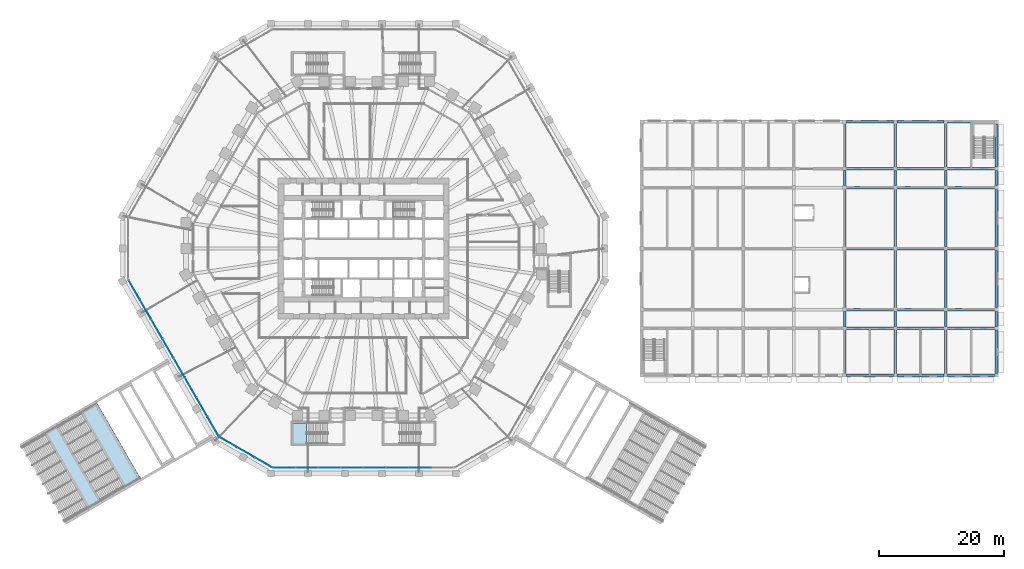
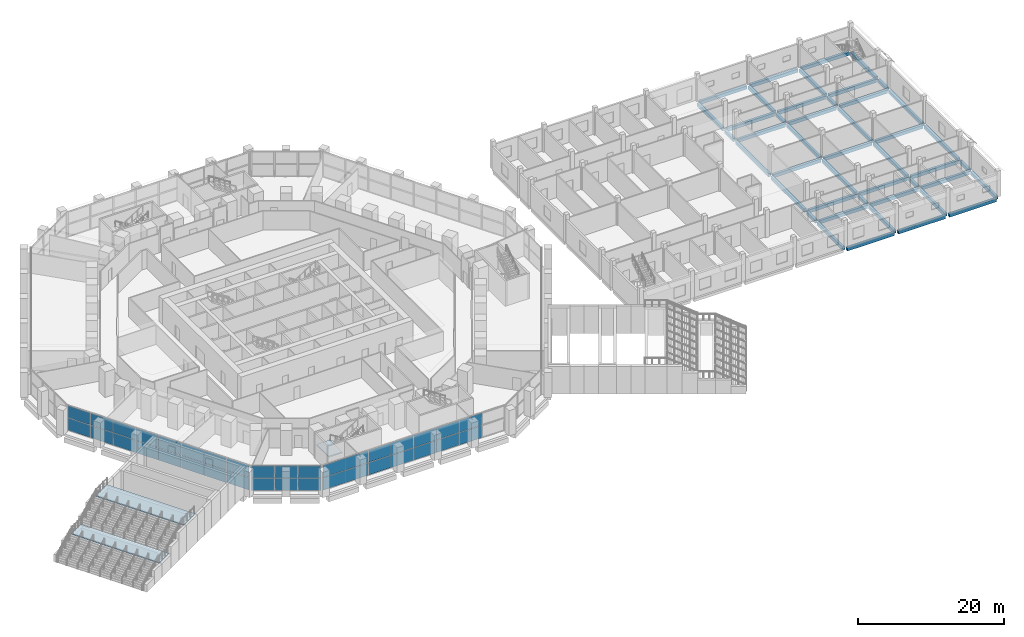
# One storey, part 15 of 38: 45 beams, 36 plates, 3 slabs, 5 elements without a shape of their own.
"""IFC4 building model written with IfcOpenShell, lengths in metres."""

from ifc_helpers import new_model, si_unit, direction, frame, origin, origin_2d, place, context, subcontext, project, spatial, polyline, rectangle, outline, extrude, material, layer, layer_set, material_profile, profile_set, type_object, element, aggregate, save


model = new_model("IFC4")

# Units and contexts
model_context = context("Model", 3, precision=1e-05, world=origin(), true_north=direction((0.0, 1.0)))
body_context = subcontext(model_context, "Body", "Model", "MODEL_VIEW")
ifc_project = project(units=[si_unit("LENGTHUNIT", "METRE"), si_unit("AREAUNIT", "SQUARE_METRE"), si_unit("VOLUMEUNIT", "CUBIC_METRE"), si_unit("PLANEANGLEUNIT", "RADIAN"), si_unit("MASSUNIT", "GRAM", prefix="KILO")], contexts=[model_context])

# Site, building, storey
site_placement = place(None, origin())
site = spatial("IfcSite", under=ifc_project, at=site_placement, CompositionType="ELEMENT")
building_placement = place(site_placement, origin())
building = spatial("IfcBuilding", under=site, at=building_placement, Name="Frailejon Research Tower", CompositionType="ELEMENT")
storey_placement = place(building_placement, frame((0.0, 0.0, 5.60009765625)))
storey = spatial("IfcBuildingStorey", under=building, at=storey_placement, Name="L01", CompositionType="ELEMENT", Elevation=5.60009765625)

# Beams
ifc_material_1 = material(Name="Concrete C35/45", Category="concrete")
ifc_material_profile = material_profile(ifc_material_1, rectangle(XDim=0.39990234375, YDim=0.550048828125, at=origin_2d()), Name="HC floor beam 400x550")
ifc_profile_set = profile_set([ifc_material_profile], Name="Concrete C35/45")
beam_type = type_object("IfcBeamType", Name="HC floor beam 400x550", PredefinedType="BEAM", material=ifc_profile_set)
for number, where, z_axis, x_axis, name in (
    (1, (77.199951171875, -20.25, -0.525146484375), (1.0, 0.0, 0.0), (0.0, 1.0, 0.0), "HC floor beam"),
    (2, (85.300048828125, -20.25, -0.525146484375), (1.0, 0.0, 0.0), (0.0, 1.0, 0.0), "HC floor beam"),
    (3, (93.39990234375, -20.25, -0.525146484375), (1.0, 0.0, 0.0), (0.0, 1.0, 0.0), "HC floor beam"),
    (4, (77.199951171875, -12.75, -0.525146484375), (1.0, 0.0, 0.0), (0.0, 1.0, 0.0), "HC floor beam"),
    (5, (85.300048828125, -12.75, -0.525146484375), (1.0, 0.0, 0.0), (0.0, 1.0, 0.0), "HC floor beam"),
    (6, (93.39990234375, -12.75, -0.525146484375), (1.0, 0.0, 0.0), (0.0, 1.0, 0.0), "HC floor beam"),
    (7, (77.199951171875, -9.75, -0.525146484375), (1.0, 0.0, 0.0), (0.0, 1.0, 0.0), "HC floor beam"),
    (8, (85.300048828125, -9.75, -0.525146484375), (1.0, 0.0, 0.0), (0.0, 1.0, 0.0), "HC floor beam"),
    (9, (93.39990234375, -9.75, -0.525146484375), (1.0, 0.0, 0.0), (0.0, 1.0, 0.0), "HC floor beam"),
    (10, (77.199951171875, 0.0, -0.525146484375), (1.0, 0.0, 0.0), (0.0, 1.0, 0.0), "HC floor beam"),
    (11, (85.300048828125, 0.0, -0.525146484375), (1.0, 0.0, 0.0), (0.0, 1.0, 0.0), "HC floor beam"),
    (12, (93.39990234375, 0.0, -0.525146484375), (1.0, 0.0, 0.0), (0.0, 1.0, 0.0), "HC floor beam"),
    (13, (77.199951171875, 9.75, -0.525146484375), (1.0, 0.0, 0.0), (0.0, 1.0, 0.0), "HC floor beam"),
    (14, (85.300048828125, 9.75, -0.525146484375), (1.0, 0.0, 0.0), (0.0, 1.0, 0.0), "HC floor beam"),
    (15, (93.39990234375, 9.75, -0.525146484375), (1.0, 0.0, 0.0), (0.0, 1.0, 0.0), "HC floor beam"),
    (16, (77.199951171875, 12.75, -0.525146484375), (1.0, 0.0, 0.0), (0.0, 1.0, 0.0), "HC floor beam"),
    (17, (85.300048828125, 12.75, -0.525146484375), (1.0, 0.0, 0.0), (0.0, 1.0, 0.0), "HC floor beam"),
    (18, (93.39990234375, 12.75, -0.525146484375), (1.0, 0.0, 0.0), (0.0, 1.0, 0.0), "HC floor beam"),
    (19, (77.199951171875, 20.25, -0.525146484375), (1.0, 0.0, 0.0), (0.0, 1.0, 0.0), "HC floor beam"),
    (20, (85.300048828125, 20.25, -0.525146484375), (1.0, 0.0, 0.0), (0.0, 1.0, 0.0), "HC floor beam"),
    (21, (93.39990234375, 20.25, -0.525146484375), (1.0, 0.0, 0.0), (0.0, 1.0, 0.0), "HC floor beam"),
):
    element("IfcBeam", number, at=place(storey_placement, frame(where, z_axis=z_axis, x_axis=x_axis)), inside=storey, type_object=beam_type, Name=name, PredefinedType="BEAM", context=body_context, shape_type="SweptSolid", body=[
        extrude(rectangle(XDim=0.39990234375, YDim=0.550048828125, at=origin_2d()), origin(), (0.0, 0.0, 1.0), 7.5),
    ])
beam_1_placement = place(storey_placement, frame((76.89990234375, -19.949951171875, -0.525146484375), z_axis=(0.0, 1.0, 0.0), x_axis=(-1.0, 0.0, 0.0)))
element("IfcBeam", 22, at=beam_1_placement, inside=storey, type_object=beam_type, Name="HC floor beam", PredefinedType="BEAM", context=body_context, shape_type="SweptSolid", body=[
    extrude(rectangle(XDim=0.39990234375, YDim=0.550048828125, at=origin_2d()), origin(), (0.0, 0.0, 1.0), 6.89990234375),
])
beam_2_placement = place(storey_placement, frame((76.89990234375, -12.449951171875, -0.525146484375), z_axis=(0.0, 1.0, 0.0), x_axis=(-1.0, 0.0, 0.0)))
element("IfcBeam", 23, at=beam_2_placement, inside=storey, type_object=beam_type, Name="HC floor beam", PredefinedType="BEAM", context=body_context, shape_type="SweptSolid", body=[
    extrude(rectangle(XDim=0.39990234375, YDim=0.550048828125, at=origin_2d()), origin(), (0.0, 0.0, 1.0), 2.39990234375),
])
for number, where, z_axis, x_axis, name in (
    (24, (76.89990234375, -9.449951171875, -0.525146484375), (0.0, 1.0, 0.0), (-1.0, 0.0, 0.0), "HC floor beam"),
    (25, (76.89990234375, 0.300048828125, -0.525146484375), (0.0, 1.0, 0.0), (-1.0, 0.0, 0.0), "HC floor beam"),
):
    element("IfcBeam", number, at=place(storey_placement, frame(where, z_axis=z_axis, x_axis=x_axis)), inside=storey, type_object=beam_type, Name=name, PredefinedType="BEAM", context=body_context, shape_type="SweptSolid", body=[
        extrude(rectangle(XDim=0.39990234375, YDim=0.550048828125, at=origin_2d()), origin(), (0.0, 0.0, 1.0), 9.14990234375),
    ])
beam_3_placement = place(storey_placement, frame((76.89990234375, 10.050048828125, -0.525146484375), z_axis=(0.0, 1.0, 0.0), x_axis=(-1.0, 0.0, 0.0)))
element("IfcBeam", 26, at=beam_3_placement, inside=storey, type_object=beam_type, Name="HC floor beam", PredefinedType="BEAM", context=body_context, shape_type="SweptSolid", body=[
    extrude(rectangle(XDim=0.39990234375, YDim=0.550048828125, at=origin_2d()), origin(), (0.0, 0.0, 1.0), 2.39990234375),
])
for number, where, z_axis, x_axis, name in (
    (27, (76.89990234375, 13.050048828125, -0.525146484375), (0.0, 1.0, 0.0), (-1.0, 0.0, 0.0), "HC floor beam"),
    (28, (85.0, -19.949951171875, -0.525146484375), (0.0, 1.0, 0.0), (-1.0, 0.0, 0.0), "HC floor beam"),
):
    element("IfcBeam", number, at=place(storey_placement, frame(where, z_axis=z_axis, x_axis=x_axis)), inside=storey, type_object=beam_type, Name=name, PredefinedType="BEAM", context=body_context, shape_type="SweptSolid", body=[
        extrude(rectangle(XDim=0.39990234375, YDim=0.550048828125, at=origin_2d()), origin(), (0.0, 0.0, 1.0), 6.89990234375),
    ])
beam_4_placement = place(storey_placement, frame((85.0, -12.449951171875, -0.525146484375), z_axis=(0.0, 1.0, 0.0), x_axis=(-1.0, 0.0, 0.0)))
element("IfcBeam", 29, at=beam_4_placement, inside=storey, type_object=beam_type, Name="HC floor beam", PredefinedType="BEAM", context=body_context, shape_type="SweptSolid", body=[
    extrude(rectangle(XDim=0.39990234375, YDim=0.550048828125, at=origin_2d()), origin(), (0.0, 0.0, 1.0), 2.39990234375),
])
for number, where, z_axis, x_axis, name in (
    (30, (85.0, -9.449951171875, -0.525146484375), (0.0, 1.0, 0.0), (-1.0, 0.0, 0.0), "HC floor beam"),
    (31, (85.0, 0.300048828125, -0.525146484375), (0.0, 1.0, 0.0), (-1.0, 0.0, 0.0), "HC floor beam"),
):
    element("IfcBeam", number, at=place(storey_placement, frame(where, z_axis=z_axis, x_axis=x_axis)), inside=storey, type_object=beam_type, Name=name, PredefinedType="BEAM", context=body_context, shape_type="SweptSolid", body=[
        extrude(rectangle(XDim=0.39990234375, YDim=0.550048828125, at=origin_2d()), origin(), (0.0, 0.0, 1.0), 9.14990234375),
    ])
beam_5_placement = place(storey_placement, frame((85.0, 10.050048828125, -0.525146484375), z_axis=(0.0, 1.0, 0.0), x_axis=(-1.0, 0.0, 0.0)))
element("IfcBeam", 32, at=beam_5_placement, inside=storey, type_object=beam_type, Name="HC floor beam", PredefinedType="BEAM", context=body_context, shape_type="SweptSolid", body=[
    extrude(rectangle(XDim=0.39990234375, YDim=0.550048828125, at=origin_2d()), origin(), (0.0, 0.0, 1.0), 2.39990234375),
])
for number, where, z_axis, x_axis, name in (
    (33, (85.0, 13.050048828125, -0.525146484375), (0.0, 1.0, 0.0), (-1.0, 0.0, 0.0), "HC floor beam"),
    (34, (93.10009765625, -19.949951171875, -0.525146484375), (0.0, 1.0, 0.0), (-1.0, 0.0, 0.0), "HC floor beam"),
):
    element("IfcBeam", number, at=place(storey_placement, frame(where, z_axis=z_axis, x_axis=x_axis)), inside=storey, type_object=beam_type, Name=name, PredefinedType="BEAM", context=body_context, shape_type="SweptSolid", body=[
        extrude(rectangle(XDim=0.39990234375, YDim=0.550048828125, at=origin_2d()), origin(), (0.0, 0.0, 1.0), 6.89990234375),
    ])
beam_6_placement = place(storey_placement, frame((93.10009765625, -12.449951171875, -0.525146484375), z_axis=(0.0, 1.0, 0.0), x_axis=(-1.0, 0.0, 0.0)))
element("IfcBeam", 35, at=beam_6_placement, inside=storey, type_object=beam_type, Name="HC floor beam", PredefinedType="BEAM", context=body_context, shape_type="SweptSolid", body=[
    extrude(rectangle(XDim=0.39990234375, YDim=0.550048828125, at=origin_2d()), origin(), (0.0, 0.0, 1.0), 2.39990234375),
])
for number, where, z_axis, x_axis, name in (
    (36, (93.10009765625, -9.449951171875, -0.525146484375), (0.0, 1.0, 0.0), (-1.0, 0.0, 0.0), "HC floor beam"),
    (37, (93.10009765625, 0.300048828125, -0.525146484375), (0.0, 1.0, 0.0), (-1.0, 0.0, 0.0), "HC floor beam"),
):
    element("IfcBeam", number, at=place(storey_placement, frame(where, z_axis=z_axis, x_axis=x_axis)), inside=storey, type_object=beam_type, Name=name, PredefinedType="BEAM", context=body_context, shape_type="SweptSolid", body=[
        extrude(rectangle(XDim=0.39990234375, YDim=0.550048828125, at=origin_2d()), origin(), (0.0, 0.0, 1.0), 9.14990234375),
    ])
beam_7_placement = place(storey_placement, frame((93.10009765625, 10.050048828125, -0.525146484375), z_axis=(0.0, 1.0, 0.0), x_axis=(-1.0, 0.0, 0.0)))
element("IfcBeam", 38, at=beam_7_placement, inside=storey, type_object=beam_type, Name="HC floor beam", PredefinedType="BEAM", context=body_context, shape_type="SweptSolid", body=[
    extrude(rectangle(XDim=0.39990234375, YDim=0.550048828125, at=origin_2d()), origin(), (0.0, 0.0, 1.0), 2.39990234375),
])
for number, where, z_axis, x_axis, name in (
    (39, (93.10009765625, 13.050048828125, -0.525146484375), (0.0, 1.0, 0.0), (-1.0, 0.0, 0.0), "HC floor beam"),
    (40, (101.199951171875, -19.949951171875, -0.525146484375), (0.0, 1.0, 0.0), (-1.0, 0.0, 0.0), "HC floor beam"),
):
    element("IfcBeam", number, at=place(storey_placement, frame(where, z_axis=z_axis, x_axis=x_axis)), inside=storey, type_object=beam_type, Name=name, PredefinedType="BEAM", context=body_context, shape_type="SweptSolid", body=[
        extrude(rectangle(XDim=0.39990234375, YDim=0.550048828125, at=origin_2d()), origin(), (0.0, 0.0, 1.0), 6.89990234375),
    ])
beam_8_placement = place(storey_placement, frame((101.199951171875, -12.449951171875, -0.525146484375), z_axis=(0.0, 1.0, 0.0), x_axis=(-1.0, 0.0, 0.0)))
element("IfcBeam", 41, at=beam_8_placement, inside=storey, type_object=beam_type, Name="HC floor beam", PredefinedType="BEAM", context=body_context, shape_type="SweptSolid", body=[
    extrude(rectangle(XDim=0.39990234375, YDim=0.550048828125, at=origin_2d()), origin(), (0.0, 0.0, 1.0), 2.39990234375),
])
for number, where, z_axis, x_axis, name in (
    (42, (101.199951171875, -9.449951171875, -0.525146484375), (0.0, 1.0, 0.0), (-1.0, 0.0, 0.0), "HC floor beam"),
    (43, (101.199951171875, 0.300048828125, -0.525146484375), (0.0, 1.0, 0.0), (-1.0, 0.0, 0.0), "HC floor beam"),
):
    element("IfcBeam", number, at=place(storey_placement, frame(where, z_axis=z_axis, x_axis=x_axis)), inside=storey, type_object=beam_type, Name=name, PredefinedType="BEAM", context=body_context, shape_type="SweptSolid", body=[
        extrude(rectangle(XDim=0.39990234375, YDim=0.550048828125, at=origin_2d()), origin(), (0.0, 0.0, 1.0), 9.14990234375),
    ])
beam_9_placement = place(storey_placement, frame((101.199951171875, 10.050048828125, -0.525146484375), z_axis=(0.0, 1.0, 0.0), x_axis=(-1.0, 0.0, 0.0)))
element("IfcBeam", 44, at=beam_9_placement, inside=storey, type_object=beam_type, Name="HC floor beam", PredefinedType="BEAM", context=body_context, shape_type="SweptSolid", body=[
    extrude(rectangle(XDim=0.39990234375, YDim=0.550048828125, at=origin_2d()), origin(), (0.0, 0.0, 1.0), 2.39990234375),
])
beam_10_placement = place(storey_placement, frame((101.199951171875, 13.050048828125, -0.525146484375), z_axis=(0.0, 1.0, 0.0), x_axis=(-1.0, 0.0, 0.0)))
element("IfcBeam", 45, at=beam_10_placement, inside=storey, type_object=beam_type, Name="HC floor beam", PredefinedType="BEAM", context=body_context, shape_type="SweptSolid", body=[
    extrude(rectangle(XDim=0.39990234375, YDim=0.550048828125, at=origin_2d()), origin(), (0.0, 0.0, 1.0), 6.89990234375),
])

# Stair, slabs
ifc_material_2 = material(Name="Concrete C35/45", Category="concrete")
stair_type_1 = type_object("IfcStairType", Name="Broad stair", PredefinedType="STRAIGHT_RUN_STAIR", material=ifc_material_2)
stair_1_placement = place(storey_placement, origin())
stair_1 = element("IfcStair", 46, at=stair_1_placement, inside=storey, type_object=stair_type_1, Name="Broad stair W2", PredefinedType="STRAIGHT_RUN_STAIR")
ifc_material_3 = material(Name="Concrete C35/45", Category="concrete")
ifc_layer_1 = layer(ifc_material_3, 0.199951171875)
ifc_layer_set_1 = layer_set([ifc_layer_1], Name="Broad stair landing")
slab_type_1 = type_object("IfcSlabType", Name="Broad stair landing", PredefinedType="LANDING", material=ifc_layer_set_1)
slab_1_placement = place(storey_placement, frame((0.0, 0.0, 4.39990234375)))
slab_1 = element("IfcSlab", 47, at=slab_1_placement, type_object=slab_type_1, Name="SS-W2 landing 1", PredefinedType="LANDING", context=body_context, shape_type="SweptSolid", body=[
    extrude(outline(polyline([(-42.65185546875, -24.625), (-45.33642578125, -26.175048828125), (-38.33642578125, -38.29931640625), (-35.65185546875, -36.74951171875), (-42.65185546875, -24.625)])), origin(), (0.0, 0.0, 1.0), 0.199951171875),
])
slab_2_placement = place(storey_placement, frame((0.0, 0.0, 2.099853515625)))
slab_2 = element("IfcSlab", 48, at=slab_2_placement, type_object=slab_type_1, Name="SS-W2 landing 2", PredefinedType="LANDING", context=body_context, shape_type="SweptSolid", body=[
    extrude(outline(polyline([(-48.88720703125, -28.22509765625), (-51.138916015625, -29.52490234375), (-44.138916015625, -41.6494140625), (-41.88720703125, -40.349365234375), (-48.88720703125, -28.22509765625)])), origin(), (0.0, 0.0, 1.0), 0.199951171875),
])
aggregate(stair_1, [slab_1, slab_2])

# Curtain wall, plates
ifc_material_4 = material(Name="Aluminium curtain wall", Category="aluminium")
curtain_wall_type = type_object("IfcCurtainWallType", Name="Podium stick curtain wall system", PredefinedType="NOTDEFINED", material=ifc_material_4)
curtain_wall_1_placement = place(storey_placement, origin())
curtain_wall_1 = element("IfcCurtainWall", 49, at=curtain_wall_1_placement, inside=storey, type_object=curtain_wall_type, Name="Curtain wall L01", PredefinedType="NOTDEFINED")
ifc_material_5 = material(Name="Clear laminated glass", Category="glass")
ifc_layer_2 = layer(ifc_material_5, 0.031982421875)
ifc_layer_set_2 = layer_set([ifc_layer_2], Name="Podium stick curtain wall glass panel 32")
plate_type = type_object("IfcPlateType", Name="Podium stick curtain wall glass panel 32", PredefinedType="CURTAIN_PANEL", material=ifc_layer_set_2)
plate_1_placement = place(storey_placement, frame((-36.659912109375, -6.603271484375, 0.059814453125), z_axis=(0.0, 0.0, 1.0), x_axis=(0.499998396888, -0.86602632934, 0.0)))
plate_1 = element("IfcPlate", 50, at=plate_1_placement, type_object=plate_type, Name="CW2-028 panel 1.1", PredefinedType="CURTAIN_PANEL", context=body_context, shape_type="SweptSolid", body=[
    extrude(rectangle(XDim=3.517578125, YDim=0.031982421875, at=origin_2d()), origin(), (0.0, 0.0, 1.0), 2.06005859375),
])
plate_2_placement = place(storey_placement, frame((-36.659912109375, -6.603271484375, 2.1796875), z_axis=(0.0, 0.0, 1.0), x_axis=(0.499998396888, -0.86602632934, 0.0)))
plate_2 = element("IfcPlate", 51, at=plate_2_placement, type_object=plate_type, Name="CW2-028 panel 1.2", PredefinedType="CURTAIN_PANEL", context=body_context, shape_type="SweptSolid", body=[
    extrude(rectangle(XDim=3.517578125, YDim=0.031982421875, at=origin_2d()), origin(), (0.0, 0.0, 1.0), 2.010009765625),
])
plate_3_placement = place(storey_placement, frame((-34.863525390625, -9.714599609375, 0.059814453125), z_axis=(0.0, 0.0, 1.0), x_axis=(0.499998396888, -0.86602632934, 0.0)))
plate_3 = element("IfcPlate", 52, at=plate_3_placement, type_object=plate_type, Name="CW2-028 panel 2.1", PredefinedType="CURTAIN_PANEL", context=body_context, shape_type="SweptSolid", body=[
    extrude(rectangle(XDim=3.547607421875, YDim=0.031982421875, at=origin_2d()), origin(), (0.0, 0.0, 1.0), 2.06005859375),
])
plate_4_placement = place(storey_placement, frame((-34.863525390625, -9.714599609375, 2.1796875), z_axis=(0.0, 0.0, 1.0), x_axis=(0.499998396888, -0.86602632934, 0.0)))
plate_4 = element("IfcPlate", 53, at=plate_4_placement, type_object=plate_type, Name="CW2-028 panel 2.2", PredefinedType="CURTAIN_PANEL", context=body_context, shape_type="SweptSolid", body=[
    extrude(rectangle(XDim=3.547607421875, YDim=0.031982421875, at=origin_2d()), origin(), (0.0, 0.0, 1.0), 2.010009765625),
])
plate_5_placement = place(storey_placement, frame((-33.059814453125, -12.838623046875, 0.059814453125), z_axis=(0.0, 0.0, 1.0), x_axis=(0.499998396888, -0.86602632934, 0.0)))
plate_5 = element("IfcPlate", 54, at=plate_5_placement, type_object=plate_type, Name="CW2-028 panel 3.1", PredefinedType="CURTAIN_PANEL", context=body_context, shape_type="SweptSolid", body=[
    extrude(rectangle(XDim=3.547607421875, YDim=0.031982421875, at=origin_2d()), origin(), (0.0, 0.0, 1.0), 2.06005859375),
])
plate_6_placement = place(storey_placement, frame((-33.059814453125, -12.838623046875, 2.1796875), z_axis=(0.0, 0.0, 1.0), x_axis=(0.499998396888, -0.86602632934, 0.0)))
plate_6 = element("IfcPlate", 55, at=plate_6_placement, type_object=plate_type, Name="CW2-028 panel 3.2", PredefinedType="CURTAIN_PANEL", context=body_context, shape_type="SweptSolid", body=[
    extrude(rectangle(XDim=3.547607421875, YDim=0.031982421875, at=origin_2d()), origin(), (0.0, 0.0, 1.0), 2.010009765625),
])
plate_7_placement = place(storey_placement, frame((-31.256103515625, -15.962890625, 0.059814453125), z_axis=(0.0, 0.0, 1.0), x_axis=(0.499998396888, -0.86602632934, 0.0)))
plate_7 = element("IfcPlate", 56, at=plate_7_placement, type_object=plate_type, Name="CW2-028 panel 4.1", PredefinedType="CURTAIN_PANEL", context=body_context, shape_type="SweptSolid", body=[
    extrude(rectangle(XDim=3.547607421875, YDim=0.031982421875, at=origin_2d()), origin(), (0.0, 0.0, 1.0), 2.06005859375),
])
plate_8_placement = place(storey_placement, frame((-31.256103515625, -15.962890625, 2.1796875), z_axis=(0.0, 0.0, 1.0), x_axis=(0.499998396888, -0.86602632934, 0.0)))
plate_8 = element("IfcPlate", 57, at=plate_8_placement, type_object=plate_type, Name="CW2-028 panel 4.2", PredefinedType="CURTAIN_PANEL", context=body_context, shape_type="SweptSolid", body=[
    extrude(rectangle(XDim=3.547607421875, YDim=0.031982421875, at=origin_2d()), origin(), (0.0, 0.0, 1.0), 2.010009765625),
])
plate_9_placement = place(storey_placement, frame((-29.452392578125, -19.087158203125, 0.059814453125), z_axis=(0.0, 0.0, 1.0), x_axis=(0.499998396888, -0.86602632934, 0.0)))
plate_9 = element("IfcPlate", 58, at=plate_9_placement, type_object=plate_type, Name="CW2-028 panel 5.1", PredefinedType="CURTAIN_PANEL", context=body_context, shape_type="SweptSolid", body=[
    extrude(rectangle(XDim=3.547607421875, YDim=0.031982421875, at=origin_2d()), origin(), (0.0, 0.0, 1.0), 2.06005859375),
])
plate_10_placement = place(storey_placement, frame((-29.452392578125, -19.087158203125, 2.1796875), z_axis=(0.0, 0.0, 1.0), x_axis=(0.499998396888, -0.86602632934, 0.0)))
plate_10 = element("IfcPlate", 59, at=plate_10_placement, type_object=plate_type, Name="CW2-028 panel 5.2", PredefinedType="CURTAIN_PANEL", context=body_context, shape_type="SweptSolid", body=[
    extrude(rectangle(XDim=3.547607421875, YDim=0.031982421875, at=origin_2d()), origin(), (0.0, 0.0, 1.0), 2.010009765625),
])
plate_11_placement = place(storey_placement, frame((-27.648681640625, -22.211181640625, 0.059814453125), z_axis=(0.0, 0.0, 1.0), x_axis=(0.499998396888, -0.86602632934, 0.0)))
plate_11 = element("IfcPlate", 60, at=plate_11_placement, type_object=plate_type, Name="CW2-028 panel 6.1", PredefinedType="CURTAIN_PANEL", context=body_context, shape_type="SweptSolid", body=[
    extrude(rectangle(XDim=3.547607421875, YDim=0.031982421875, at=origin_2d()), origin(), (0.0, 0.0, 1.0), 2.06005859375),
])
plate_12_placement = place(storey_placement, frame((-27.648681640625, -22.211181640625, 2.1796875), z_axis=(0.0, 0.0, 1.0), x_axis=(0.499998396888, -0.86602632934, 0.0)))
plate_12 = element("IfcPlate", 61, at=plate_12_placement, type_object=plate_type, Name="CW2-028 panel 6.2", PredefinedType="CURTAIN_PANEL", context=body_context, shape_type="SweptSolid", body=[
    extrude(rectangle(XDim=3.547607421875, YDim=0.031982421875, at=origin_2d()), origin(), (0.0, 0.0, 1.0), 2.010009765625),
])
plate_13_placement = place(storey_placement, frame((-25.8447265625, -25.33544921875, 0.059814453125), z_axis=(0.0, 0.0, 1.0), x_axis=(0.499998396888, -0.86602632934, 0.0)))
plate_13 = element("IfcPlate", 62, at=plate_13_placement, type_object=plate_type, Name="CW2-028 panel 7.1", PredefinedType="CURTAIN_PANEL", context=body_context, shape_type="SweptSolid", body=[
    extrude(rectangle(XDim=3.547607421875, YDim=0.031982421875, at=origin_2d()), origin(), (0.0, 0.0, 1.0), 2.06005859375),
])
plate_14_placement = place(storey_placement, frame((-25.8447265625, -25.33544921875, 2.1796875), z_axis=(0.0, 0.0, 1.0), x_axis=(0.499998396888, -0.86602632934, 0.0)))
plate_14 = element("IfcPlate", 63, at=plate_14_placement, type_object=plate_type, Name="CW2-028 panel 7.2", PredefinedType="CURTAIN_PANEL", context=body_context, shape_type="SweptSolid", body=[
    extrude(rectangle(XDim=3.547607421875, YDim=0.031982421875, at=origin_2d()), origin(), (0.0, 0.0, 1.0), 2.010009765625),
])
plate_15_placement = place(storey_placement, frame((-24.048583984375, -28.44677734375, 0.059814453125), z_axis=(0.0, 0.0, 1.0), x_axis=(0.499998396888, -0.86602632934, 0.0)))
plate_15 = element("IfcPlate", 64, at=plate_15_placement, type_object=plate_type, Name="CW2-028 panel 8.1", PredefinedType="CURTAIN_PANEL", context=body_context, shape_type="SweptSolid", body=[
    extrude(rectangle(XDim=3.517578125, YDim=0.031982421875, at=origin_2d()), origin(), (0.0, 0.0, 1.0), 2.06005859375),
])
plate_16_placement = place(storey_placement, frame((-24.048583984375, -28.44677734375, 2.1796875), z_axis=(0.0, 0.0, 1.0), x_axis=(0.499998396888, -0.86602632934, 0.0)))
plate_16 = element("IfcPlate", 65, at=plate_16_placement, type_object=plate_type, Name="CW2-028 panel 8.2", PredefinedType="CURTAIN_PANEL", context=body_context, shape_type="SweptSolid", body=[
    extrude(rectangle(XDim=3.517578125, YDim=0.031982421875, at=origin_2d()), origin(), (0.0, 0.0, 1.0), 2.010009765625),
])
aggregate(curtain_wall_1, [plate_1, plate_2, plate_3, plate_4, plate_5, plate_6, plate_7, plate_8, plate_9, plate_10, plate_11, plate_12, plate_13, plate_14, plate_15, plate_16])

curtain_wall_2_placement = place(storey_placement, origin())
curtain_wall_2 = element("IfcCurtainWall", 66, at=curtain_wall_2_placement, inside=storey, type_object=curtain_wall_type, Name="Curtain wall L01", PredefinedType="NOTDEFINED")
plate_17_placement = place(storey_placement, frame((-21.592041015625, -30.972900390625, 0.059814453125), z_axis=(0.0, 0.0, 1.0), x_axis=(0.866025476338, -0.499999874334, 0.0)))
plate_17 = element("IfcPlate", 67, at=plate_17_placement, type_object=plate_type, Name="CW2-029 panel 1.1", PredefinedType="CURTAIN_PANEL", context=body_context, shape_type="SweptSolid", body=[
    extrude(rectangle(XDim=3.1376953125, YDim=0.031982421875, at=origin_2d()), origin(), (0.0, 0.0, 1.0), 2.06005859375),
])
plate_18_placement = place(storey_placement, frame((-21.592041015625, -30.972900390625, 2.1796875), z_axis=(0.0, 0.0, 1.0), x_axis=(0.866025476338, -0.499999874334, 0.0)))
plate_18 = element("IfcPlate", 68, at=plate_18_placement, type_object=plate_type, Name="CW2-029 panel 1.2", PredefinedType="CURTAIN_PANEL", context=body_context, shape_type="SweptSolid", body=[
    extrude(rectangle(XDim=3.1376953125, YDim=0.031982421875, at=origin_2d()), origin(), (0.0, 0.0, 1.0), 2.010009765625),
])
plate_19_placement = place(storey_placement, frame((-18.8095703125, -32.5791015625, 0.059814453125), z_axis=(0.0, 0.0, 1.0), x_axis=(0.866025476338, -0.499999874334, 0.0)))
plate_19 = element("IfcPlate", 69, at=plate_19_placement, type_object=plate_type, Name="CW2-029 panel 2.1", PredefinedType="CURTAIN_PANEL", context=body_context, shape_type="SweptSolid", body=[
    extrude(rectangle(XDim=3.167724609375, YDim=0.031982421875, at=origin_2d()), origin(), (0.0, 0.0, 1.0), 2.06005859375),
])
plate_20_placement = place(storey_placement, frame((-18.8095703125, -32.5791015625, 2.1796875), z_axis=(0.0, 0.0, 1.0), x_axis=(0.866025476338, -0.499999874334, 0.0)))
plate_20 = element("IfcPlate", 70, at=plate_20_placement, type_object=plate_type, Name="CW2-029 panel 2.2", PredefinedType="CURTAIN_PANEL", context=body_context, shape_type="SweptSolid", body=[
    extrude(rectangle(XDim=3.167724609375, YDim=0.031982421875, at=origin_2d()), origin(), (0.0, 0.0, 1.0), 2.010009765625),
])
plate_21_placement = place(storey_placement, frame((-16.02734375, -34.185546875, 0.059814453125), z_axis=(0.0, 0.0, 1.0), x_axis=(0.866025476338, -0.499999874334, 0.0)))
plate_21 = element("IfcPlate", 71, at=plate_21_placement, type_object=plate_type, Name="CW2-029 panel 3.1", PredefinedType="CURTAIN_PANEL", context=body_context, shape_type="SweptSolid", body=[
    extrude(rectangle(XDim=3.1376953125, YDim=0.031982421875, at=origin_2d()), origin(), (0.0, 0.0, 1.0), 2.06005859375),
])
plate_22_placement = place(storey_placement, frame((-16.02734375, -34.185546875, 2.1796875), z_axis=(0.0, 0.0, 1.0), x_axis=(0.866025476338, -0.499999874334, 0.0)))
plate_22 = element("IfcPlate", 72, at=plate_22_placement, type_object=plate_type, Name="CW2-029 panel 3.2", PredefinedType="CURTAIN_PANEL", context=body_context, shape_type="SweptSolid", body=[
    extrude(rectangle(XDim=3.1376953125, YDim=0.031982421875, at=origin_2d()), origin(), (0.0, 0.0, 1.0), 2.010009765625),
])
aggregate(curtain_wall_2, [plate_17, plate_18, plate_19, plate_20, plate_21, plate_22])

curtain_wall_3_placement = place(storey_placement, origin())
curtain_wall_3 = element("IfcCurtainWall", 73, at=curtain_wall_3_placement, inside=storey, type_object=curtain_wall_type, Name="Curtain wall L01", PredefinedType="NOTDEFINED")
plate_23_placement = place(storey_placement, frame((-12.611328125, -35.050048828125, 0.059814453125), z_axis=(0.0, 0.0, 1.0), x_axis=(1.0, 0.0, 0.0)))
plate_23 = element("IfcPlate", 74, at=plate_23_placement, type_object=plate_type, Name="CW2-030 panel 1.1", PredefinedType="CURTAIN_PANEL", context=body_context, shape_type="SweptSolid", body=[
    extrude(rectangle(XDim=3.517578125, YDim=0.031982421875, at=origin_2d()), origin(), (0.0, 0.0, 1.0), 2.06005859375),
])
plate_24_placement = place(storey_placement, frame((-12.611328125, -35.050048828125, 2.1796875), z_axis=(0.0, 0.0, 1.0), x_axis=(1.0, 0.0, 0.0)))
plate_24 = element("IfcPlate", 75, at=plate_24_placement, type_object=plate_type, Name="CW2-030 panel 1.2", PredefinedType="CURTAIN_PANEL", context=body_context, shape_type="SweptSolid", body=[
    extrude(rectangle(XDim=3.517578125, YDim=0.031982421875, at=origin_2d()), origin(), (0.0, 0.0, 1.0), 2.010009765625),
])
plate_25_placement = place(storey_placement, frame((-9.018798828125, -35.050048828125, 0.059814453125), z_axis=(0.0, 0.0, 1.0), x_axis=(1.0, 0.0, 0.0)))
plate_25 = element("IfcPlate", 76, at=plate_25_placement, type_object=plate_type, Name="CW2-030 panel 2.1", PredefinedType="CURTAIN_PANEL", context=body_context, shape_type="SweptSolid", body=[
    extrude(rectangle(XDim=3.547607421875, YDim=0.031982421875, at=origin_2d()), origin(), (0.0, 0.0, 1.0), 2.06005859375),
])
plate_26_placement = place(storey_placement, frame((-9.018798828125, -35.050048828125, 2.1796875), z_axis=(0.0, 0.0, 1.0), x_axis=(1.0, 0.0, 0.0)))
plate_26 = element("IfcPlate", 77, at=plate_26_placement, type_object=plate_type, Name="CW2-030 panel 2.2", PredefinedType="CURTAIN_PANEL", context=body_context, shape_type="SweptSolid", body=[
    extrude(rectangle(XDim=3.547607421875, YDim=0.031982421875, at=origin_2d()), origin(), (0.0, 0.0, 1.0), 2.010009765625),
])
plate_27_placement = place(storey_placement, frame((-5.411376953125, -35.050048828125, 0.059814453125), z_axis=(0.0, 0.0, 1.0), x_axis=(1.0, 0.0, 0.0)))
plate_27 = element("IfcPlate", 78, at=plate_27_placement, type_object=plate_type, Name="CW2-030 panel 3.1", PredefinedType="CURTAIN_PANEL", context=body_context, shape_type="SweptSolid", body=[
    extrude(rectangle(XDim=3.547607421875, YDim=0.031982421875, at=origin_2d()), origin(), (0.0, 0.0, 1.0), 2.06005859375),
])
plate_28_placement = place(storey_placement, frame((-5.411376953125, -35.050048828125, 2.1796875), z_axis=(0.0, 0.0, 1.0), x_axis=(1.0, 0.0, 0.0)))
plate_28 = element("IfcPlate", 79, at=plate_28_placement, type_object=plate_type, Name="CW2-030 panel 3.2", PredefinedType="CURTAIN_PANEL", context=body_context, shape_type="SweptSolid", body=[
    extrude(rectangle(XDim=3.547607421875, YDim=0.031982421875, at=origin_2d()), origin(), (0.0, 0.0, 1.0), 2.010009765625),
])
plate_29_placement = place(storey_placement, frame((-1.8037109375, -35.050048828125, 0.059814453125), z_axis=(0.0, 0.0, 1.0), x_axis=(1.0, 0.0, 0.0)))
plate_29 = element("IfcPlate", 80, at=plate_29_placement, type_object=plate_type, Name="CW2-030 panel 4.1", PredefinedType="CURTAIN_PANEL", context=body_context, shape_type="SweptSolid", body=[
    extrude(rectangle(XDim=3.547607421875, YDim=0.031982421875, at=origin_2d()), origin(), (0.0, 0.0, 1.0), 2.06005859375),
])
plate_30_placement = place(storey_placement, frame((-1.8037109375, -35.050048828125, 2.1796875), z_axis=(0.0, 0.0, 1.0), x_axis=(1.0, 0.0, 0.0)))
plate_30 = element("IfcPlate", 81, at=plate_30_placement, type_object=plate_type, Name="CW2-030 panel 4.2", PredefinedType="CURTAIN_PANEL", context=body_context, shape_type="SweptSolid", body=[
    extrude(rectangle(XDim=3.547607421875, YDim=0.031982421875, at=origin_2d()), origin(), (0.0, 0.0, 1.0), 2.010009765625),
])
plate_31_placement = place(storey_placement, frame((1.8037109375, -35.050048828125, 0.059814453125), z_axis=(0.0, 0.0, 1.0), x_axis=(1.0, 0.0, 0.0)))
plate_31 = element("IfcPlate", 82, at=plate_31_placement, type_object=plate_type, Name="CW2-030 panel 5.1", PredefinedType="CURTAIN_PANEL", context=body_context, shape_type="SweptSolid", body=[
    extrude(rectangle(XDim=3.547607421875, YDim=0.031982421875, at=origin_2d()), origin(), (0.0, 0.0, 1.0), 2.06005859375),
])
plate_32_placement = place(storey_placement, frame((1.8037109375, -35.050048828125, 2.1796875), z_axis=(0.0, 0.0, 1.0), x_axis=(1.0, 0.0, 0.0)))
plate_32 = element("IfcPlate", 83, at=plate_32_placement, type_object=plate_type, Name="CW2-030 panel 5.2", PredefinedType="CURTAIN_PANEL", context=body_context, shape_type="SweptSolid", body=[
    extrude(rectangle(XDim=3.547607421875, YDim=0.031982421875, at=origin_2d()), origin(), (0.0, 0.0, 1.0), 2.010009765625),
])
plate_33_placement = place(storey_placement, frame((5.411376953125, -35.050048828125, 0.059814453125), z_axis=(0.0, 0.0, 1.0), x_axis=(1.0, 0.0, 0.0)))
plate_33 = element("IfcPlate", 84, at=plate_33_placement, type_object=plate_type, Name="CW2-030 panel 6.1", PredefinedType="CURTAIN_PANEL", context=body_context, shape_type="SweptSolid", body=[
    extrude(rectangle(XDim=3.547607421875, YDim=0.031982421875, at=origin_2d()), origin(), (0.0, 0.0, 1.0), 2.06005859375),
])
plate_34_placement = place(storey_placement, frame((5.411376953125, -35.050048828125, 2.1796875), z_axis=(0.0, 0.0, 1.0), x_axis=(1.0, 0.0, 0.0)))
plate_34 = element("IfcPlate", 85, at=plate_34_placement, type_object=plate_type, Name="CW2-030 panel 6.2", PredefinedType="CURTAIN_PANEL", context=body_context, shape_type="SweptSolid", body=[
    extrude(rectangle(XDim=3.547607421875, YDim=0.031982421875, at=origin_2d()), origin(), (0.0, 0.0, 1.0), 2.010009765625),
])
plate_35_placement = place(storey_placement, frame((9.018798828125, -35.050048828125, 0.059814453125), z_axis=(0.0, 0.0, 1.0), x_axis=(1.0, 0.0, 0.0)))
plate_35 = element("IfcPlate", 86, at=plate_35_placement, type_object=plate_type, Name="CW2-030 panel 7.1", PredefinedType="CURTAIN_PANEL", context=body_context, shape_type="SweptSolid", body=[
    extrude(rectangle(XDim=3.547607421875, YDim=0.031982421875, at=origin_2d()), origin(), (0.0, 0.0, 1.0), 2.06005859375),
])
plate_36_placement = place(storey_placement, frame((9.018798828125, -35.050048828125, 2.1796875), z_axis=(0.0, 0.0, 1.0), x_axis=(1.0, 0.0, 0.0)))
plate_36 = element("IfcPlate", 87, at=plate_36_placement, type_object=plate_type, Name="CW2-030 panel 7.2", PredefinedType="CURTAIN_PANEL", context=body_context, shape_type="SweptSolid", body=[
    extrude(rectangle(XDim=3.547607421875, YDim=0.031982421875, at=origin_2d()), origin(), (0.0, 0.0, 1.0), 2.010009765625),
])
aggregate(curtain_wall_3, [plate_23, plate_24, plate_25, plate_26, plate_27, plate_28, plate_29, plate_30, plate_31, plate_32, plate_33, plate_34, plate_35, plate_36])

# Stair, slab
ifc_material_6 = material(Name="Concrete C50/60", Category="concrete")
stair_type_2 = type_object("IfcStairType", Name="Exit stair 26 risers", PredefinedType="HALF_TURN_STAIR", material=ifc_material_6)
stair_2_placement = place(storey_placement, origin())
stair_2 = element("IfcStair", 88, at=stair_2_placement, inside=storey, type_object=stair_type_2, Name="L01 Exit stair PS3", PredefinedType="HALF_TURN_STAIR")
ifc_material_7 = material(Name="Concrete C50/60", Category="concrete")
ifc_layer_3 = layer(ifc_material_7, 0.199951171875)
ifc_layer_set_3 = layer_set([ifc_layer_3], Name="Stair landing slab 200")
slab_type_2 = type_object("IfcSlabType", Name="Stair landing slab 200", PredefinedType="LANDING", material=ifc_layer_set_3)
slab_3_placement = place(storey_placement, frame((0.0, 0.0, 2.099853515625)))
slab_3 = element("IfcSlab", 89, at=slab_3_placement, type_object=slab_type_2, Name="PS3 landing 1", PredefinedType="LANDING", context=body_context, shape_type="SweptSolid", body=[
    extrude(outline(polyline([(-9.116943359375, -27.875), (-11.27685546875, -27.875), (-11.27685546875, -31.22509765625), (-9.116943359375, -31.22509765625), (-9.116943359375, -27.875)])), origin(), (0.0, 0.0, 1.0), 0.199951171875),
])
aggregate(stair_2, [slab_3])

save(model, "model.ifc")
